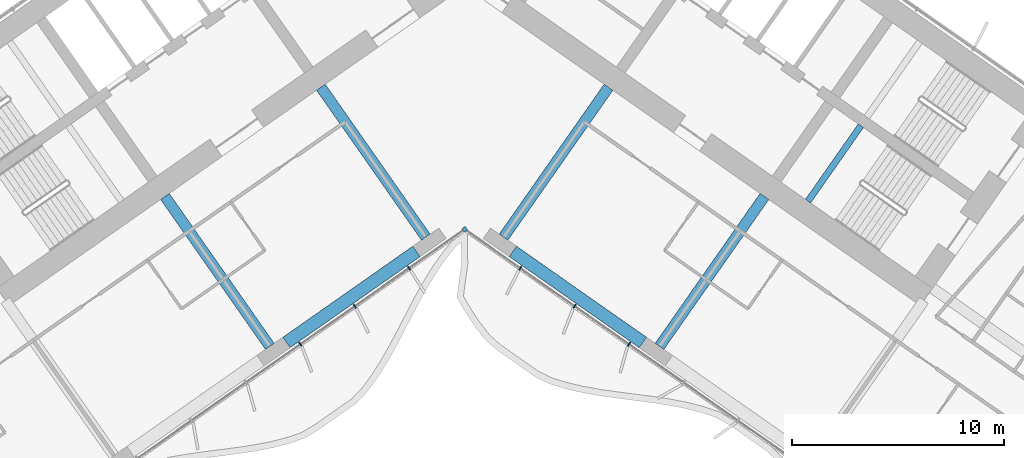
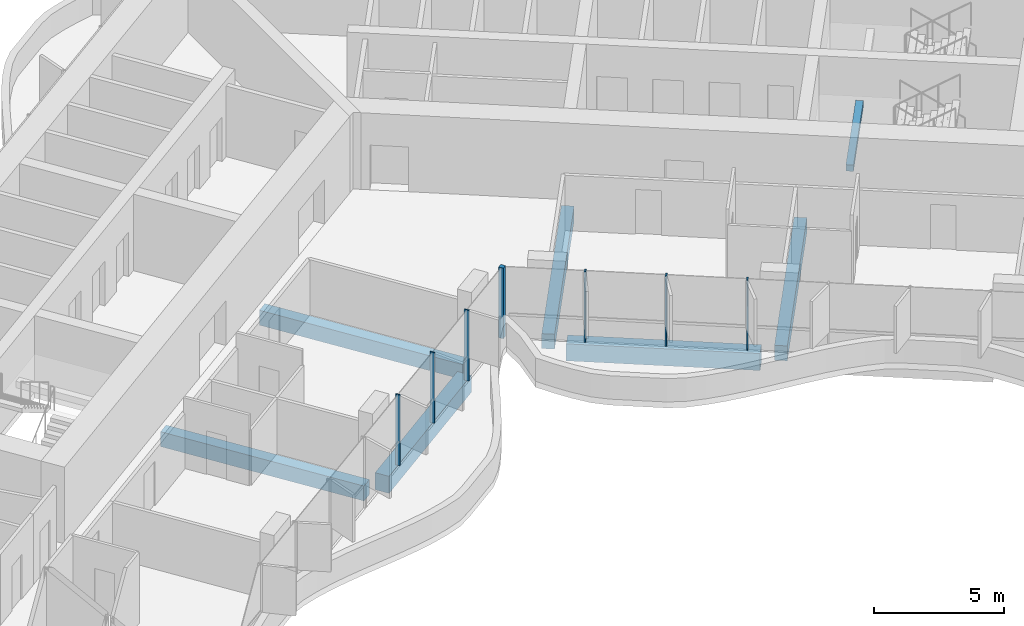
# One storey, part 6 of 24: 7 beams, 7 members, 1 element without a shape of its own.
"""IFC4 building model written with IfcOpenShell, lengths in metres."""

from ifc_helpers import new_model, si_unit, direction, frame, origin, origin_2d, place, context, subcontext, project, spatial, rectangle, extrude, material, material_profile, profile_set, type_object, element, aggregate, save


model = new_model("IFC4")

# Units and contexts
model_context = context("Model", 3, precision=1e-05, world=origin(), true_north=direction((0.0, 1.0)))
body_context = subcontext(model_context, "Body", "Model", "MODEL_VIEW")
ifc_project = project(units=[si_unit("LENGTHUNIT", "METRE"), si_unit("AREAUNIT", "SQUARE_METRE"), si_unit("VOLUMEUNIT", "CUBIC_METRE"), si_unit("PLANEANGLEUNIT", "RADIAN"), si_unit("MASSUNIT", "GRAM", prefix="KILO")], contexts=[model_context])

# Site, building, storey
site_placement = place(None, origin())
site = spatial("IfcSite", under=ifc_project, at=site_placement, CompositionType="ELEMENT")
building_placement = place(site_placement, origin())
building = spatial("IfcBuilding", under=site, at=building_placement, Name="Tel Ilan Convention Tower", CompositionType="ELEMENT")
storey_placement = place(building_placement, frame((0.0, 0.0, 72.5)))
storey = spatial("IfcBuildingStorey", under=building, at=storey_placement, Name="L13", CompositionType="ELEMENT", Elevation=72.5)

# Beams
ifc_material_1 = material(Name="Concrete C40/50", Category="concrete")
ifc_material_profile_1 = material_profile(ifc_material_1, rectangle(XDim=0.5, YDim=0.699951171875, at=origin_2d()), Name="RC 500x700")
ifc_profile_set_1 = profile_set([ifc_material_profile_1], Name="Concrete C40/50")
beam_type_1 = type_object("IfcBeamType", Name="Beam RC 500x700 Concrete C40/50", PredefinedType="BEAM", material=ifc_profile_set_1)
for number, where, z_axis, x_axis, name in (
    (1, (-1.83740234375, -13.06689453125, -0.6298828125), (-0.573574099654, 0.819153680457, 0.0), (-0.819153680457, -0.573574099654, 0.0), "L13 beam W-W-F1-core"),
    (2, (-9.209716796875, -18.229248046875, -0.6298828125), (-0.573574099654, 0.819153680457, 0.0), (-0.819153680457, -0.573574099654, 0.0), "L13 beam W-W-F2-core"),
    (3, (1.83740234375, -13.06689453125, -0.6298828125), (0.573574099654, 0.819153680457, 0.0), (-0.819153680457, 0.573574099654, 0.0), "L13 beam E-E-F1-core"),
    (4, (9.209716796875, -18.229248046875, -0.6298828125), (0.573574099654, 0.819153680457, 0.0), (-0.819153680457, 0.573574099654, 0.0), "L13 beam E-E-F2-core"),
):
    element("IfcBeam", number, at=place(storey_placement, frame(where, z_axis=z_axis, x_axis=x_axis)), inside=storey, type_object=beam_type_1, Name=name, PredefinedType="BEAM", context=body_context, shape_type="SweptSolid", body=[
        extrude(rectangle(XDim=0.5, YDim=0.699951171875, at=origin_2d()), origin(), (0.0, 0.0, 1.0), 8.64990234375),
    ])
ifc_material_2 = material(Name="Concrete C40/50", Category="concrete")
ifc_material_profile_2 = material_profile(ifc_material_2, rectangle(XDim=0.60009765625, YDim=0.800048828125, at=origin_2d()), Name="RC 600x800")
ifc_profile_set_2 = profile_set([ifc_material_profile_2], Name="Concrete C40/50")
beam_type_2 = type_object("IfcBeamType", Name="Beam RC 600x800 Concrete C40/50", PredefinedType="BEAM", material=ifc_profile_set_2)
for number, where, z_axis, x_axis, name in (
    (5, (-2.279541015625, -13.742919921875, -0.679931640625), (-0.819147803225, -0.57358249317, 0.0), (0.57358249317, -0.819147803225, 0.0), "L13 beam W-W-F1-W-F2"),
    (6, (2.279541015625, -13.742919921875, -0.679931640625), (0.819147803225, -0.57358249317, 0.0), (0.57358249317, 0.819147803225, 0.0), "L13 beam E-E-F1-E-F2"),
):
    element("IfcBeam", number, at=place(storey_placement, frame(where, z_axis=z_axis, x_axis=x_axis)), inside=storey, type_object=beam_type_2, Name=name, PredefinedType="BEAM", context=body_context, shape_type="SweptSolid", body=[
        extrude(rectangle(XDim=0.60009765625, YDim=0.800048828125, at=origin_2d()), origin(), (0.0, 0.0, 1.0), 7.500244140625),
    ])

# Curtain wall, members
ifc_material_3 = material(Name="Aluminium, bronze anodised", Category="aluminium")
curtain_wall_type = type_object("IfcCurtainWallType", Name="CW1 UNITISED CURTAIN WALL, HOTEL TINTED GLASS", PredefinedType="NOTDEFINED", material=ifc_material_3)
curtain_wall_placement = place(storey_placement, origin())
curtain_wall = element("IfcCurtainWall", 7, at=curtain_wall_placement, inside=storey, type_object=curtain_wall_type, Name="Curtain wall CW1-13.02", PredefinedType="NOTDEFINED")
ifc_material_4 = material(Name="Aluminium, bronze anodised", Category="aluminium")
ifc_material_profile_3 = material_profile(ifc_material_4, rectangle(XDim=0.199951171875, YDim=0.199951171875, at=origin_2d()), Name="CW CORNER MULLION 200x200")
ifc_profile_set_3 = profile_set([ifc_material_profile_3], Name="Aluminium, bronze anodised")
member_type_1 = type_object("IfcMemberType", Name="CW CORNER MULLION 200x200", PredefinedType="MULLION", material=ifc_profile_set_3)
member_1_placement = place(storey_placement, frame((0.0, -12.696044921875, 0.0), z_axis=(0.0, 0.0, 1.0), x_axis=(0.819152044289, 0.573576436351, 0.0)))
member_1 = element("IfcMember", 8, at=member_1_placement, type_object=member_type_1, Name="Corner mullion", PredefinedType="MULLION", context=body_context, shape_type="SweptSolid", body=[
    extrude(rectangle(XDim=0.199951171875, YDim=0.199951171875, at=origin_2d()), origin(), (0.0, 0.0, 1.0), 3.320068359375),
])
ifc_material_5 = material(Name="Aluminium, bronze anodised", Category="aluminium")
ifc_material_profile_4 = material_profile(ifc_material_5, rectangle(XDim=0.06005859375, YDim=0.199951171875, at=origin_2d()), Name="CW MULLION 60x200")
ifc_profile_set_4 = profile_set([ifc_material_profile_4], Name="Aluminium, bronze anodised")
member_type_2 = type_object("IfcMemberType", Name="CW MULLION 60x200", PredefinedType="MULLION", material=ifc_profile_set_4)
member_2_placement = place(storey_placement, frame((-7.76708984375, -18.134765625, 0.0), z_axis=(0.0, 0.0, 1.0), x_axis=(0.819152044289, 0.573576436351, 0.0)))
member_2 = element("IfcMember", 9, at=member_2_placement, type_object=member_type_2, Name="Mullion", PredefinedType="MULLION", context=body_context, shape_type="SweptSolid", body=[
    extrude(rectangle(XDim=0.06005859375, YDim=0.199951171875, at=origin_2d()), origin(), (0.0, 0.0, 1.0), 3.320068359375),
])
member_3_placement = place(storey_placement, frame((-5.197265625, -16.335205078125, 0.0), z_axis=(0.0, 0.0, 1.0), x_axis=(0.819152044289, 0.573576436351, 0.0)))
member_3 = element("IfcMember", 10, at=member_3_placement, type_object=member_type_2, Name="Mullion", PredefinedType="MULLION", context=body_context, shape_type="SweptSolid", body=[
    extrude(rectangle(XDim=0.06005859375, YDim=0.199951171875, at=origin_2d()), origin(), (0.0, 0.0, 1.0), 3.320068359375),
])
member_4_placement = place(storey_placement, frame((-2.627197265625, -14.53564453125, 0.0), z_axis=(0.0, 0.0, 1.0), x_axis=(0.819152044289, 0.573576436351, 0.0)))
member_4 = element("IfcMember", 11, at=member_4_placement, type_object=member_type_2, Name="Mullion", PredefinedType="MULLION", context=body_context, shape_type="SweptSolid", body=[
    extrude(rectangle(XDim=0.06005859375, YDim=0.199951171875, at=origin_2d()), origin(), (0.0, 0.0, 1.0), 3.320068359375),
])
member_5_placement = place(storey_placement, frame((2.627197265625, -14.53564453125, 0.0), z_axis=(0.0, 0.0, 1.0), x_axis=(0.819152044289, -0.573576436351, 0.0)))
member_5 = element("IfcMember", 12, at=member_5_placement, type_object=member_type_2, Name="Mullion", PredefinedType="MULLION", context=body_context, shape_type="SweptSolid", body=[
    extrude(rectangle(XDim=0.06005859375, YDim=0.199951171875, at=origin_2d()), origin(), (0.0, 0.0, 1.0), 3.320068359375),
])
member_6_placement = place(storey_placement, frame((5.197265625, -16.335205078125, 0.0), z_axis=(0.0, 0.0, 1.0), x_axis=(0.819152044289, -0.573576436351, 0.0)))
member_6 = element("IfcMember", 13, at=member_6_placement, type_object=member_type_2, Name="Mullion", PredefinedType="MULLION", context=body_context, shape_type="SweptSolid", body=[
    extrude(rectangle(XDim=0.06005859375, YDim=0.199951171875, at=origin_2d()), origin(), (0.0, 0.0, 1.0), 3.320068359375),
])
member_7_placement = place(storey_placement, frame((7.76708984375, -18.134765625, 0.0), z_axis=(0.0, 0.0, 1.0), x_axis=(0.819152044289, -0.573576436351, 0.0)))
member_7 = element("IfcMember", 14, at=member_7_placement, type_object=member_type_2, Name="Mullion", PredefinedType="MULLION", context=body_context, shape_type="SweptSolid", body=[
    extrude(rectangle(XDim=0.06005859375, YDim=0.199951171875, at=origin_2d()), origin(), (0.0, 0.0, 1.0), 3.320068359375),
])
aggregate(curtain_wall, [member_2, member_3, member_4, member_1, member_5, member_6, member_7])

# Beam
ifc_material_6 = material(Name="Concrete C40/50", Category="concrete")
ifc_material_profile_5 = material_profile(ifc_material_6, rectangle(XDim=0.300048828125, YDim=0.300048828125, at=origin_2d()), Name="RC 300x300")
ifc_profile_set_5 = profile_set([ifc_material_profile_5], Name="Concrete C40/50")
beam_type_3 = type_object("IfcBeamType", Name="Landing Beam RC 300x300 Concrete C40/50", PredefinedType="BEAM", material=ifc_profile_set_5)
beam_placement = place(storey_placement, frame((18.726806640625, -7.80224609375, 1.449951171875), z_axis=(-0.573594173421, -0.819139624372, 0.0), x_axis=(0.819139624372, -0.573594173421, 0.0)))
element("IfcBeam", 15, at=beam_placement, inside=storey, type_object=beam_type_3, Name="S4 landing beam L13.1", PredefinedType="BEAM", context=body_context, shape_type="SweptSolid", body=[
    extrude(rectangle(XDim=0.300048828125, YDim=0.300048828125, at=origin_2d()), origin(), (0.0, 0.0, 1.0), 4.349853515625),
])

save(model, "model.ifc")
